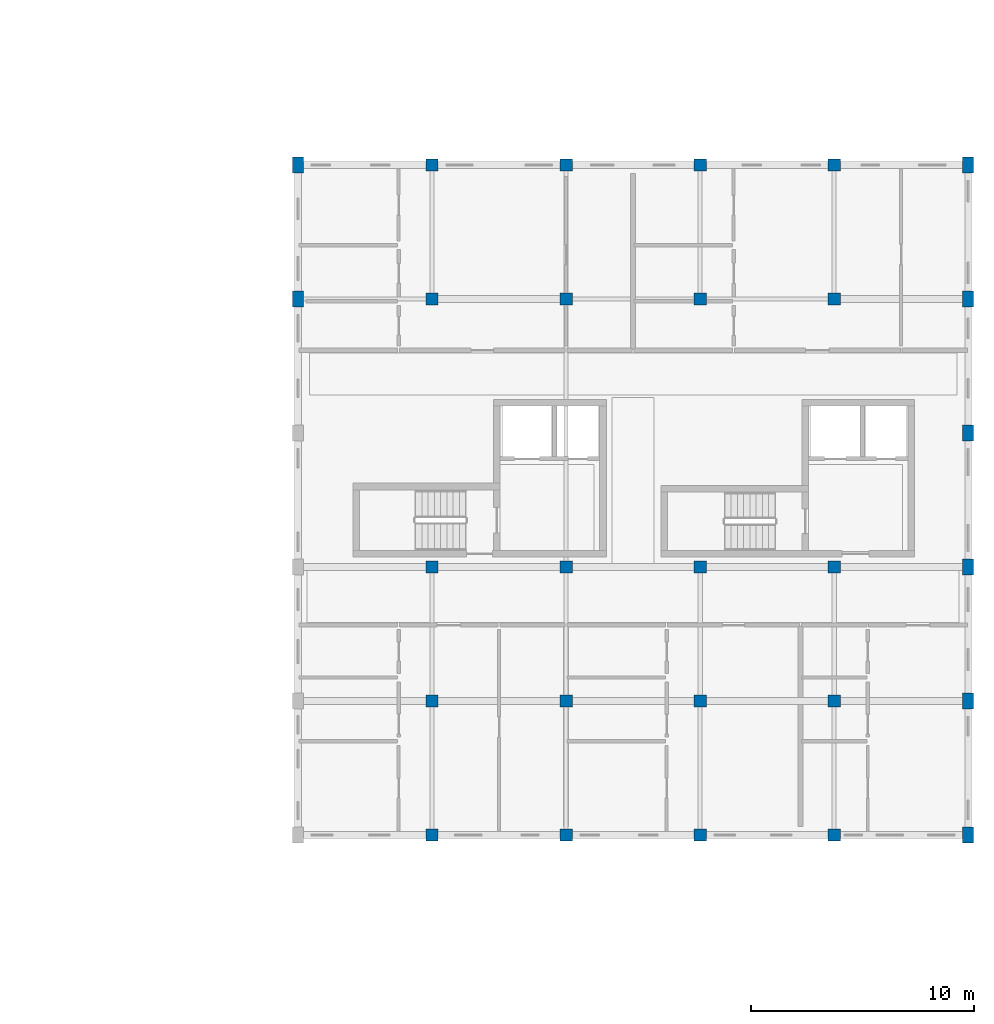
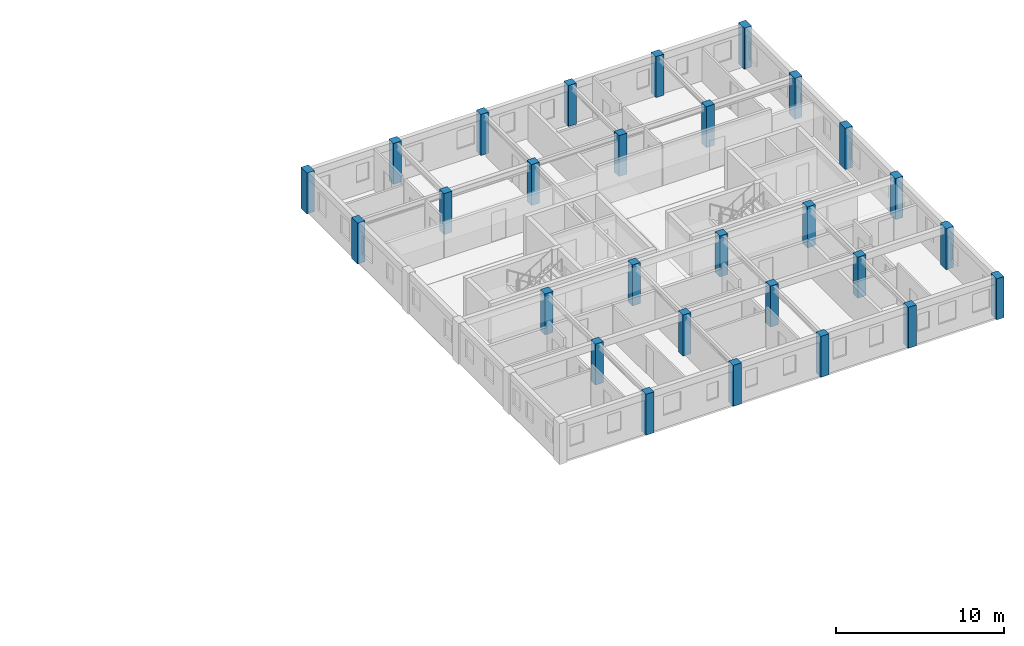
# One storey, part 2 of 28: 28 columns.
"""IFC4 building model written with IfcOpenShell, lengths in metres."""

import ifcopenshell
import ifcopenshell.guid

model = None  # the IFC model being written
_history = None  # IfcOwnerHistory: only IFC2X3 demands one
_inside = {}  # id of a spatial element -> (the spatial element, [elements in it])
_under = {}  # id of a project, library or spatial element -> (it, [spatial elements below it])
_declared = {}  # id of a project -> (the project, [libraries it declares])
_typed = {}  # id of a type object -> (the type object, [elements of that type])
_made_of = {}  # id of a material, layer set ... -> (it, [elements and type objects made of it])


def new_model(schema):
    """Start an empty IFC model of exactly this schema.

    Asked for "IFC4X3", IfcOpenShell would pick the latest addendum, in which some entities
    have other attributes; the version numbers below select the first issue.
    IFC2X3 requires an IfcOwnerHistory on every rooted entity: one is made here for all.
    """
    global model, _history
    if schema == "IFC4X3":
        model = ifcopenshell.file(schema_version=(4, 3, 0, 0))
    else:
        model = ifcopenshell.file(schema=schema)
    _inside.clear()
    _under.clear()
    _declared.clear()
    _typed.clear()
    _made_of.clear()
    _history = None
    if model.schema == "IFC2X3":
        org = make("IfcOrganization", Name="unknown")
        user = make(
            "IfcPersonAndOrganization",
            ThePerson=make("IfcPerson", FamilyName="unknown"),
            TheOrganization=org,
        )
        app = make(
            "IfcApplication",
            ApplicationDeveloper=org,
            Version="unknown",
            ApplicationFullName="unknown",
            ApplicationIdentifier="unknown",
        )
        _history = make(
            "IfcOwnerHistory",
            OwningUser=user,
            OwningApplication=app,
            ChangeAction="ADDED",
            CreationDate=0,
        )
    return model


def make(cls, **values):
    """One entity of the class cls with the attributes given. An attribute that is None is left unset."""
    return model.create_entity(
        cls, **{name: value for name, value in values.items() if value is not None}
    )


def rooted(cls, **values):
    """An entity with a GlobalId (a new one), such as an element, a storey or a relation."""
    return make(cls, GlobalId=ifcopenshell.guid.new(), OwnerHistory=_history, **values)


def si_unit(unit_type, name, prefix=None):
    """IfcSIUnit, for example si_unit("LENGTHUNIT", "METRE", prefix="MILLI")."""
    return make("IfcSIUnit", UnitType=unit_type, Prefix=prefix, Name=name)


def assignment(units):
    """IfcUnitAssignment: the units of a project."""
    return None if units is None else make("IfcUnitAssignment", Units=units)


def point(xyz):
    """IfcCartesianPoint."""
    return None if xyz is None else make("IfcCartesianPoint", Coordinates=xyz)


def direction(xyz):
    """IfcDirection."""
    return None if xyz is None else make("IfcDirection", DirectionRatios=xyz)


def frame(location, z_axis=None, x_axis=None):
    """IfcAxis2Placement3D, a coordinate frame: its origin and axes. An axis left out is left unset."""
    return make(
        "IfcAxis2Placement3D",
        Location=point(location),
        Axis=direction(z_axis),
        RefDirection=direction(x_axis),
    )


def frame_2d(location, x_axis=None):
    """IfcAxis2Placement2D, a coordinate frame in the plane: its origin and x axis."""
    return make(
        "IfcAxis2Placement2D", Location=point(location), RefDirection=direction(x_axis)
    )


def origin():
    """The frame at (0, 0, 0) with its axes left unset."""
    return frame((0.0, 0.0, 0.0))


def origin_2d():
    """The frame at (0, 0) in the plane with its x axis left unset."""
    return frame_2d((0.0, 0.0))


def place(relative_to, where):
    """IfcLocalPlacement: puts the frame where relative to a parent placement (None: the world)."""
    return make(
        "IfcLocalPlacement", PlacementRelTo=relative_to, RelativePlacement=where
    )


def context(
    kind, dimensions, precision=None, world=None, true_north=None, identifier=None
):
    """IfcGeometricRepresentationContext, for example the 3D "Model" context."""
    return make(
        "IfcGeometricRepresentationContext",
        ContextIdentifier=identifier,
        ContextType=kind,
        CoordinateSpaceDimension=dimensions,
        Precision=precision,
        WorldCoordinateSystem=world,
        TrueNorth=true_north,
    )


def subcontext(parent, identifier, kind, view, scale=None):
    """IfcGeometricRepresentationSubContext, for example "Body" below "Model"."""
    return make(
        "IfcGeometricRepresentationSubContext",
        ContextIdentifier=identifier,
        ContextType=kind,
        ParentContext=parent,
        TargetScale=scale,
        TargetView=view,
    )


def project(units=None, contexts=None):
    """IfcProject with its units and contexts."""
    return rooted(
        "IfcProject",
        Name="project",
        RepresentationContexts=contexts,
        UnitsInContext=assignment(units),
    )


def spatial(cls, under=None, at=None, **own):
    """A site, building, storey or space (cls), placed at a placement, below another one or the project."""
    s = rooted(cls, ObjectPlacement=at, **own)
    if under is not None:
        _under.setdefault(under.id(), (under, []))[1].append(s)
    return s


def profile(cls, at=None, kind="AREA", **sizes):
    """A parametric profile (cls). Its sizes go by their IFC names, for example OverallWidth=200.0."""
    return make(cls, ProfileType=kind, Position=at, **sizes)


def rectangle(**sizes):
    """IfcRectangleProfileDef."""
    return profile("IfcRectangleProfileDef", **sizes)


def extrude(swept, where, along, depth):
    """IfcExtrudedAreaSolid: the profile swept, set in the frame where, extruded along a direction by depth."""
    return make(
        "IfcExtrudedAreaSolid",
        SweptArea=swept,
        Position=where,
        ExtrudedDirection=direction(along),
        Depth=depth,
    )


def shape(context_of_items, identifier, shape_type, items):
    """IfcShapeRepresentation: the items that make up one representation, for example the "Body"."""
    return make(
        "IfcShapeRepresentation",
        ContextOfItems=context_of_items,
        RepresentationIdentifier=identifier,
        RepresentationType=shape_type,
        Items=items,
    )


def material(Name=None, Category=None):
    """IfcMaterial."""
    return make("IfcMaterial", Name=Name, Category=Category)


def material_profile(
    of_material, cross_section, Name=None, Category=None, Priority=None
):
    """IfcMaterialProfile: a cross section and its material."""
    return make(
        "IfcMaterialProfile",
        Name=Name,
        Material=of_material,
        Profile=cross_section,
        Priority=Priority,
        Category=Category,
    )


def profile_set(profiles, Name=None, composite=None):
    """IfcMaterialProfileSet."""
    return make(
        "IfcMaterialProfileSet",
        Name=Name,
        MaterialProfiles=profiles,
        CompositeProfile=composite,
    )


def made_of(thing, what):
    """Note that an element or type object is made of a material, layer set ...; save() writes the relation."""
    if what is not None:
        _made_of.setdefault(what.id(), (what, []))[1].append(thing)
    return thing


def type_object(cls, material=None, **own):
    """A type object (cls), such as IfcWallType, which elements share."""
    return made_of(rooted(cls, **own), material)


def element(
    cls,
    number,
    at=None,
    inside=None,
    cuts=None,
    type_object=None,
    material=None,
    context=None,
    identifier="Body",
    shape_type=None,
    held_by="IfcProductDefinitionShape",
    body=None,
    shapes=None,
    **own,
):
    """One element of the class cls, such as IfcWall. Its Tag is "e" and its number.

    at: its placement. inside: the storey or other place that contains it. cuts: it is an
    opening in that element (IfcRelVoidsElement). A single representation is given by context,
    identifier, shape_type and body (its items); several are given by shapes. held_by: the class
    of the entity that holds the representations. save() writes the other relations.
    """
    e = rooted(cls, Tag="e%d" % number, ObjectPlacement=at, **own)
    if body is not None:
        shapes = [shape(context, identifier, shape_type, body)]
    if shapes is not None:
        e.Representation = make(held_by, Representations=shapes)
    if inside is not None:
        _inside.setdefault(inside.id(), (inside, []))[1].append(e)
    if cuts is not None:
        rooted(
            "IfcRelVoidsElement", RelatingBuildingElement=cuts, RelatedOpeningElement=e
        )
    if type_object is not None:
        _typed.setdefault(type_object.id(), (type_object, []))[1].append(e)
    return made_of(e, material)


def aggregate(whole, parts):
    """IfcRelAggregates: a whole, such as a stair, and the parts it consists of."""
    return rooted("IfcRelAggregates", RelatingObject=whole, RelatedObjects=parts)


def save(model, path):
    """Write the relations noted so far, then the file.

    IfcRelAggregates (storeys below a building ...), IfcRelContainedInSpatialStructure (elements
    in a storey), IfcRelDefinesByType, IfcRelAssociatesMaterial and IfcRelDeclares: one each for
    every whole, place, type object, material and project.
    """
    for whole, parts in _under.values():
        aggregate(whole, parts)
    for where, things in _inside.values():
        rooted(
            "IfcRelContainedInSpatialStructure",
            RelatedElements=things,
            RelatingStructure=where,
        )
    for kind, things in _typed.values():
        rooted("IfcRelDefinesByType", RelatedObjects=things, RelatingType=kind)
    for what, things in _made_of.values():
        rooted("IfcRelAssociatesMaterial", RelatedObjects=things, RelatingMaterial=what)
    for by, libraries in _declared.values():
        rooted("IfcRelDeclares", RelatingContext=by, RelatedDefinitions=libraries)
    model.write(path)


model = new_model("IFC4")

# Units and contexts
model_context = context("Model", 3, precision=1e-05, world=origin(), true_north=direction((0.0, 1.0)))
body_context = subcontext(model_context, "Body", "Model", "MODEL_VIEW")
ifc_project = project(units=[si_unit("LENGTHUNIT", "METRE"), si_unit("AREAUNIT", "SQUARE_METRE"), si_unit("VOLUMEUNIT", "CUBIC_METRE"), si_unit("PLANEANGLEUNIT", "RADIAN"), si_unit("MASSUNIT", "GRAM", prefix="KILO"), si_unit("POWERUNIT", "WATT"), si_unit("THERMODYNAMICTEMPERATUREUNIT", "KELVIN")], contexts=[model_context])

# Site, building, storey
site_placement = place(None, origin())
site = spatial("IfcSite", under=ifc_project, at=site_placement, CompositionType="ELEMENT")
building_placement = place(site_placement, origin())
building = spatial("IfcBuilding", under=site, at=building_placement, Name="Ruvembo Vaulted Housing Court", CompositionType="ELEMENT")
storey_placement = place(building_placement, frame((0.0, 0.0, 23.699951171875)))
storey = spatial("IfcBuildingStorey", under=building, at=storey_placement, Name="L07", CompositionType="ELEMENT", Elevation=23.699951171875)

# Columns
ifc_material = material(Name="Concrete C35/45", Category="concrete")
ifc_material_profile_1 = material_profile(ifc_material, rectangle(XDim=0.5, YDim=0.699951171875, at=origin_2d()), Name="RC 500x700")
ifc_profile_set_1 = profile_set([ifc_material_profile_1], Name="Concrete C35/45")
column_type_1 = type_object("IfcColumnType", Name="COL-RC-500x700", PredefinedType="COLUMN", material=ifc_profile_set_1)
for number, where, z_axis, x_axis, name in (
    (1, (156.0, 96.0, 0.0), (0.0, 0.0, 1.0), (1.0, 0.0, 0.0), "L07 Column (156,96)"),
    (2, (156.0, 102.0, 0.0), (0.0, 0.0, 1.0), (1.0, 0.0, 0.0), "L07 Column (156,102)"),
    (3, (186.0, 72.0, 0.0), (0.0, 0.0, 1.0), (1.0, 0.0, 0.0), "L07 Column (186,72)"),
    (4, (186.0, 78.0, 0.0), (0.0, 0.0, 1.0), (1.0, 0.0, 0.0), "L07 Column (186,78)"),
    (5, (186.0, 84.0, 0.0), (0.0, 0.0, 1.0), (1.0, 0.0, 0.0), "L07 Column (186,84)"),
    (6, (186.0, 90.0, 0.0), (0.0, 0.0, 1.0), (1.0, 0.0, 0.0), "L07 Column (186,90)"),
    (7, (186.0, 96.0, 0.0), (0.0, 0.0, 1.0), (1.0, 0.0, 0.0), "L07 Column (186,96)"),
    (8, (186.0, 102.0, 0.0), (0.0, 0.0, 1.0), (1.0, 0.0, 0.0), "L07 Column (186,102)"),
):
    element("IfcColumn", number, at=place(storey_placement, frame(where, z_axis=z_axis, x_axis=x_axis)), inside=storey, type_object=column_type_1, Name=name, PredefinedType="COLUMN", context=body_context, shape_type="SweptSolid", body=[
        extrude(rectangle(XDim=0.5, YDim=0.699951171875, at=origin_2d()), origin(), (0.0, 0.0, 1.0), 2.97509765625),
    ])
ifc_material_profile_2 = material_profile(ifc_material, rectangle(XDim=0.550048828125, YDim=0.550048828125, at=origin_2d()), Name="RC 550x550")
ifc_profile_set_2 = profile_set([ifc_material_profile_2], Name="Concrete C35/45")
column_type_2 = type_object("IfcColumnType", Name="COL-RC-550", PredefinedType="COLUMN", material=ifc_profile_set_2)
for number, where, z_axis, x_axis, name in (
    (9, (162.0, 72.0, 0.0), (0.0, 0.0, 1.0), (1.0, 0.0, 0.0), "L07 Column (162,72)"),
    (10, (162.0, 78.0, 0.0), (0.0, 0.0, 1.0), (1.0, 0.0, 0.0), "L07 Column (162,78)"),
    (11, (162.0, 84.0, 0.0), (0.0, 0.0, 1.0), (1.0, 0.0, 0.0), "L07 Column (162,84)"),
    (12, (162.0, 96.0, 0.0), (0.0, 0.0, 1.0), (1.0, 0.0, 0.0), "L07 Column (162,96)"),
    (13, (162.0, 102.0, 0.0), (0.0, 0.0, 1.0), (1.0, 0.0, 0.0), "L07 Column (162,102)"),
    (14, (168.0, 72.0, 0.0), (0.0, 0.0, 1.0), (1.0, 0.0, 0.0), "L07 Column (168,72)"),
    (15, (168.0, 78.0, 0.0), (0.0, 0.0, 1.0), (1.0, 0.0, 0.0), "L07 Column (168,78)"),
    (16, (168.0, 84.0, 0.0), (0.0, 0.0, 1.0), (1.0, 0.0, 0.0), "L07 Column (168,84)"),
    (17, (168.0, 96.0, 0.0), (0.0, 0.0, 1.0), (1.0, 0.0, 0.0), "L07 Column (168,96)"),
    (18, (168.0, 102.0, 0.0), (0.0, 0.0, 1.0), (1.0, 0.0, 0.0), "L07 Column (168,102)"),
    (19, (174.0, 72.0, 0.0), (0.0, 0.0, 1.0), (1.0, 0.0, 0.0), "L07 Column (174,72)"),
    (20, (174.0, 78.0, 0.0), (0.0, 0.0, 1.0), (1.0, 0.0, 0.0), "L07 Column (174,78)"),
    (21, (174.0, 84.0, 0.0), (0.0, 0.0, 1.0), (1.0, 0.0, 0.0), "L07 Column (174,84)"),
    (22, (174.0, 96.0, 0.0), (0.0, 0.0, 1.0), (1.0, 0.0, 0.0), "L07 Column (174,96)"),
    (23, (174.0, 102.0, 0.0), (0.0, 0.0, 1.0), (1.0, 0.0, 0.0), "L07 Column (174,102)"),
    (24, (180.0, 72.0, 0.0), (0.0, 0.0, 1.0), (1.0, 0.0, 0.0), "L07 Column (180,72)"),
    (25, (180.0, 78.0, 0.0), (0.0, 0.0, 1.0), (1.0, 0.0, 0.0), "L07 Column (180,78)"),
    (26, (180.0, 84.0, 0.0), (0.0, 0.0, 1.0), (1.0, 0.0, 0.0), "L07 Column (180,84)"),
    (27, (180.0, 96.0, 0.0), (0.0, 0.0, 1.0), (1.0, 0.0, 0.0), "L07 Column (180,96)"),
    (28, (180.0, 102.0, 0.0), (0.0, 0.0, 1.0), (1.0, 0.0, 0.0), "L07 Column (180,102)"),
):
    element("IfcColumn", number, at=place(storey_placement, frame(where, z_axis=z_axis, x_axis=x_axis)), inside=storey, type_object=column_type_2, Name=name, PredefinedType="COLUMN", context=body_context, shape_type="SweptSolid", body=[
        extrude(rectangle(XDim=0.550048828125, YDim=0.550048828125, at=origin_2d()), origin(), (0.0, 0.0, 1.0), 2.97509765625),
    ])

save(model, "model.ifc")
